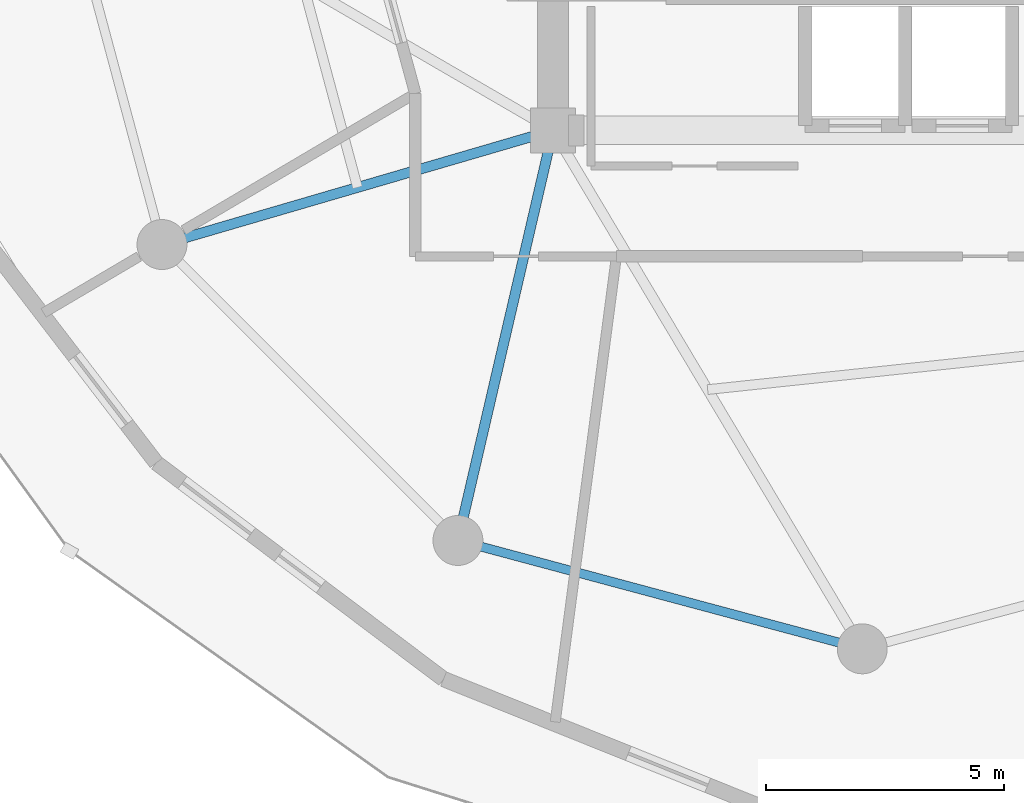
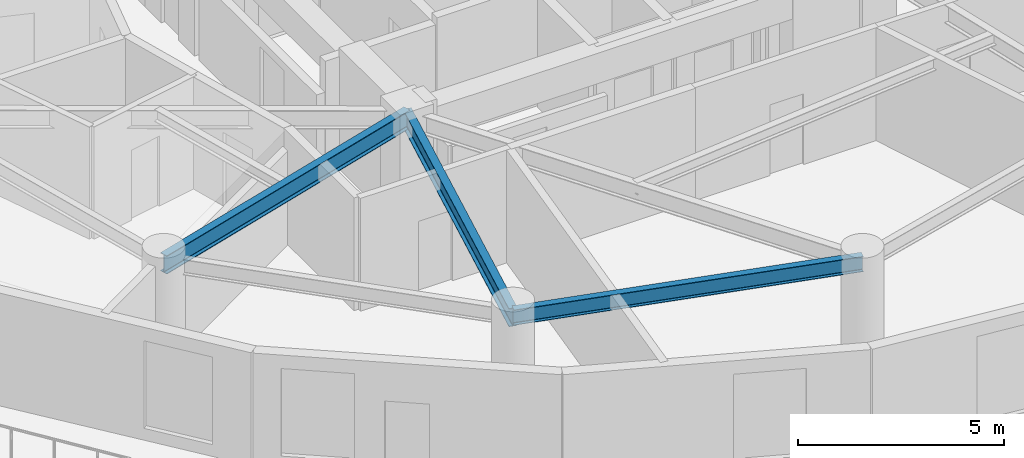
# One storey, part 3 of 25: 3 beams.
"""IFC4 building model written with IfcOpenShell, lengths in metres."""

from ifc_helpers import new_model, si_unit, direction, frame, origin, origin_2d, place, context, subcontext, project, spatial, i_section, extrude, material, material_profile, profile_set, type_object, element, save


model = new_model("IFC4")

# Units and contexts
model_context = context("Model", 3, precision=1e-05, world=origin(), true_north=direction((0.0, 1.0)))
body_context = subcontext(model_context, "Body", "Model", "MODEL_VIEW")
ifc_project = project(units=[si_unit("LENGTHUNIT", "METRE"), si_unit("AREAUNIT", "SQUARE_METRE"), si_unit("VOLUMEUNIT", "CUBIC_METRE"), si_unit("PLANEANGLEUNIT", "RADIAN"), si_unit("MASSUNIT", "GRAM", prefix="KILO")], contexts=[model_context])

# Site, building, storey
site_placement = place(None, origin())
site = spatial("IfcSite", under=ifc_project, at=site_placement, CompositionType="ELEMENT")
building_placement = place(site_placement, origin())
building = spatial("IfcBuilding", under=site, at=building_placement, Name="Solvirekh Grand Hotel", CompositionType="ELEMENT")
storey_placement = place(building_placement, frame((0.0, 0.0, 102.60009765625)))
storey = spatial("IfcBuildingStorey", under=building, at=storey_placement, Name="L25", CompositionType="ELEMENT", Elevation=102.60009765625)

# Beams
ifc_material = material(Name="Steel S355", Category="steel")
ifc_material_profile_1 = material_profile(ifc_material, i_section(OverallWidth=0.2119140625, OverallDepth=0.5439453125, WebThickness=0.011962890625, FlangeThickness=0.01904296875, FilletRadius=0.013916015625, at=origin_2d()), Name="W530X123")
ifc_profile_set_1 = profile_set([ifc_material_profile_1], Name="Steel S355")
beam_type_1 = type_object("IfcBeamType", Name="Beam_Radial_W530H", PredefinedType="BEAM", material=ifc_profile_set_1)
beam_1_placement = place(storey_placement, frame((-6.5, -6.10009765625, 3.077880859375), z_axis=(-0.959942195467, -0.28019811092, 0.0), x_axis=(0.28019811092, -0.959942195467, 0.0)))
element("IfcBeam", 1, at=beam_1_placement, inside=storey, type_object=beam_type_1, Name="L25 radial floor beam R08", PredefinedType="BEAM", context=body_context, shape_type="SweptSolid", body=[
    extrude(i_section(OverallWidth=0.2119140625, OverallDepth=0.5439453125, WebThickness=0.011962890625, FlangeThickness=0.01904296875, FilletRadius=0.013916015625, at=origin_2d()), origin(), (0.0, 0.0, 1.0), 8.56494140625),
])
beam_2_placement = place(storey_placement, frame((-6.5, -6.10009765625, 3.077880859375), z_axis=(-0.225969390542, -0.974134402707, 0.0), x_axis=(0.974134402707, -0.225969390542, 0.0)))
element("IfcBeam", 2, at=beam_2_placement, inside=storey, type_object=beam_type_1, Name="L25 radial floor beam R09", PredefinedType="BEAM", context=body_context, shape_type="SweptSolid", body=[
    extrude(i_section(OverallWidth=0.2119140625, OverallDepth=0.5439453125, WebThickness=0.011962890625, FlangeThickness=0.01904296875, FilletRadius=0.013916015625, at=origin_2d()), origin(), (0.0, 0.0, 1.0), 8.850830078125),
])
ifc_material_profile_2 = material_profile(ifc_material, i_section(OverallWidth=0.18994140625, OverallDepth=0.45703125, WebThickness=0.009033203125, FlangeThickness=0.013916015625, FilletRadius=0.012939453125, at=origin_2d()), Name="W460X74")
ifc_profile_set_2 = profile_set([ifc_material_profile_2], Name="Steel S355")
beam_type_2 = type_object("IfcBeamType", Name="Spandrel_Ring_W460", PredefinedType="SPANDREL", material=ifc_profile_set_2)
beam_3_placement = place(storey_placement, frame((-8.5, -14.721923828125, 3.121826171875), z_axis=(0.965911391906, -0.258872908946, 0.0), x_axis=(0.258872908946, 0.965911391906, 0.0)))
element("IfcBeam", 3, at=beam_3_placement, inside=storey, type_object=beam_type_2, Name="L25 perimeter spandrel beam 9", PredefinedType="SPANDREL", context=body_context, shape_type="SweptSolid", body=[
    extrude(i_section(OverallWidth=0.18994140625, OverallDepth=0.45703125, WebThickness=0.009033203125, FlangeThickness=0.013916015625, FilletRadius=0.012939453125, at=origin_2d()), origin(), (0.0, 0.0, 1.0), 8.800048828125),
])

save(model, "model.ifc")
